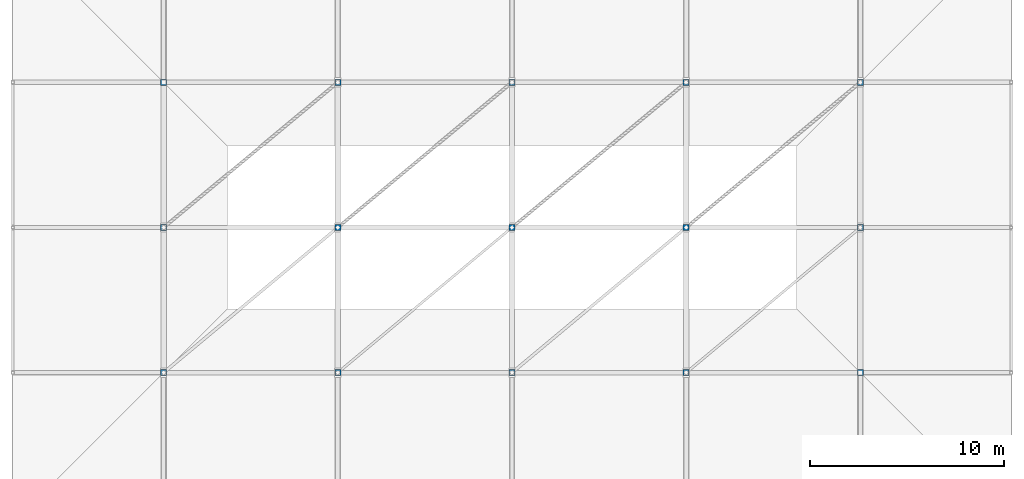
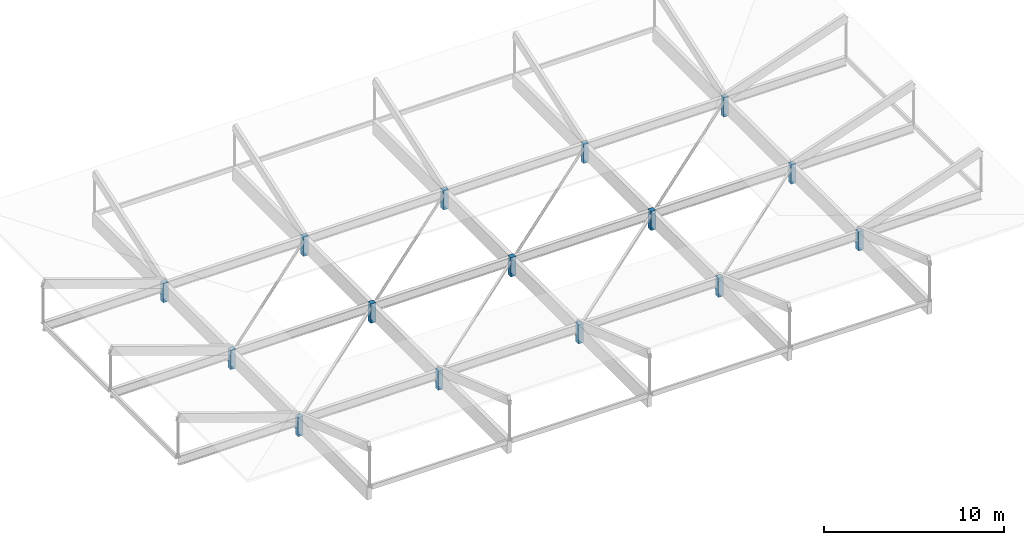
# One storey, part 1 of 19: 15 columns.
"""IFC4 building model written with IfcOpenShell, lengths in metres."""

from ifc_helpers import new_model, si_unit, direction, frame, origin, origin_2d, place, context, subcontext, project, spatial, rectangle, extrude, material, material_profile, profile_set, type_object, element, save


model = new_model("IFC4")

# Units and contexts
model_context = context("Model", 3, precision=1e-05, world=origin(), true_north=direction((0.0, 1.0)))
body_context = subcontext(model_context, "Body", "Model", "MODEL_VIEW")
ifc_project = project(units=[si_unit("LENGTHUNIT", "METRE"), si_unit("AREAUNIT", "SQUARE_METRE"), si_unit("VOLUMEUNIT", "CUBIC_METRE"), si_unit("PLANEANGLEUNIT", "RADIAN"), si_unit("MASSUNIT", "GRAM", prefix="KILO")], contexts=[model_context])

# Site, building, storey
site_placement = place(None, origin())
site = spatial("IfcSite", under=ifc_project, at=site_placement, CompositionType="ELEMENT")
building_placement = place(site_placement, origin())
building = spatial("IfcBuilding", under=site, at=building_placement, Name="Marnridge Secondary College", CompositionType="ELEMENT")
storey_placement = place(building_placement, frame((0.0, 0.0, 23.699951171875)))
storey = spatial("IfcBuildingStorey", under=building, at=storey_placement, Name="Roof Level", CompositionType="ELEMENT", Elevation=23.699951171875)

# Columns
ifc_material_1 = material(Name="Glulam timber GL21", Category="wood")
ifc_material_profile_1 = material_profile(ifc_material_1, rectangle(XDim=0.31494140625, YDim=0.31494140625, at=origin_2d()), Name="GL21 315x315")
ifc_profile_set_1 = profile_set([ifc_material_profile_1], Name="Glulam timber GL21")
column_type_1 = type_object("IfcColumnType", Name="CL-GL315-EXT", PredefinedType="COLUMN", material=ifc_profile_set_1)
for number, where, z_axis, x_axis, name in (
    (1, (54.0, 52.5, 0.0), (0.0, 0.0, 1.0), (1.0, 0.0, 0.0), "Column C-Roo-0322"),
    (2, (63.0, 52.5, 0.0), (0.0, 0.0, 1.0), (1.0, 0.0, 0.0), "Column C-Roo-0329"),
    (3, (72.0, 52.5, 0.0), (0.0, 0.0, 1.0), (1.0, 0.0, 0.0), "Column C-Roo-0336"),
    (4, (81.0, 52.5, 0.0), (0.0, 0.0, 1.0), (1.0, 0.0, 0.0), "Column C-Roo-0343"),
    (5, (90.0, 52.5, 0.0), (0.0, 0.0, 1.0), (1.0, 0.0, 0.0), "Column C-Roo-0350"),
    (6, (54.0, 60.0, 0.0), (0.0, 0.0, 1.0), (1.0, 0.0, 0.0), "Column C-Roo-0357"),
    (7, (90.0, 60.0, 0.0), (0.0, 0.0, 1.0), (1.0, 0.0, 0.0), "Column C-Roo-0385"),
    (8, (54.0, 67.5, 0.0), (0.0, 0.0, 1.0), (1.0, 0.0, 0.0), "Column C-Roo-0392"),
    (9, (63.0, 67.5, 0.0), (0.0, 0.0, 1.0), (1.0, 0.0, 0.0), "Column C-Roo-0399"),
    (10, (72.0, 67.5, 0.0), (0.0, 0.0, 1.0), (1.0, 0.0, 0.0), "Column C-Roo-0406"),
    (11, (81.0, 67.5, 0.0), (0.0, 0.0, 1.0), (1.0, 0.0, 0.0), "Column C-Roo-0413"),
    (12, (90.0, 67.5, 0.0), (0.0, 0.0, 1.0), (1.0, 0.0, 0.0), "Column C-Roo-0420"),
):
    element("IfcColumn", number, at=place(storey_placement, frame(where, z_axis=z_axis, x_axis=x_axis)), inside=storey, type_object=column_type_1, Name=name, PredefinedType="COLUMN", context=body_context, shape_type="SweptSolid", body=[
        extrude(rectangle(XDim=0.31494140625, YDim=0.31494140625, at=origin_2d()), origin(), (0.0, 0.0, 1.0), 1.300048828125),
    ])
ifc_material_2 = material(Name="Glulam timber GL21", Category="wood")
ifc_material_profile_2 = material_profile(ifc_material_2, rectangle(XDim=0.31494140625, YDim=0.31494140625, at=origin_2d()), Name="GL21 315x315")
ifc_profile_set_2 = profile_set([ifc_material_profile_2], Name="Glulam timber GL21")
column_type_2 = type_object("IfcColumnType", Name="CL-GL315-INT", PredefinedType="COLUMN", material=ifc_profile_set_2)
for number, where, z_axis, x_axis, name in (
    (13, (63.0, 60.0, 0.0), (0.0, 0.0, 1.0), (1.0, 0.0, 0.0), "Column C-Roo-0364"),
    (14, (72.0, 60.0, 0.0), (0.0, 0.0, 1.0), (1.0, 0.0, 0.0), "Column C-Roo-0371"),
    (15, (81.0, 60.0, 0.0), (0.0, 0.0, 1.0), (1.0, 0.0, 0.0), "Column C-Roo-0378"),
):
    element("IfcColumn", number, at=place(storey_placement, frame(where, z_axis=z_axis, x_axis=x_axis)), inside=storey, type_object=column_type_2, Name=name, PredefinedType="COLUMN", context=body_context, shape_type="SweptSolid", body=[
        extrude(rectangle(XDim=0.31494140625, YDim=0.31494140625, at=origin_2d()), origin(), (0.0, 0.0, 1.0), 1.300048828125),
    ])

save(model, "model.ifc")
